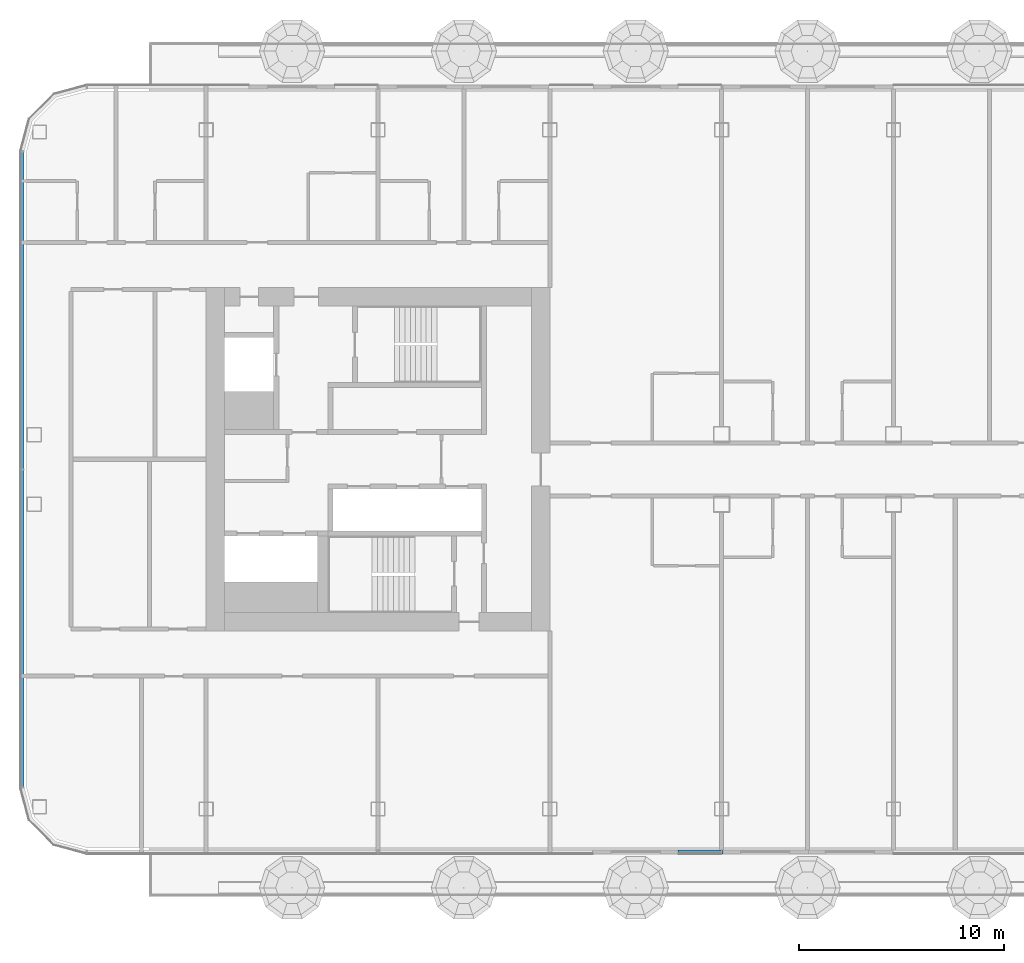
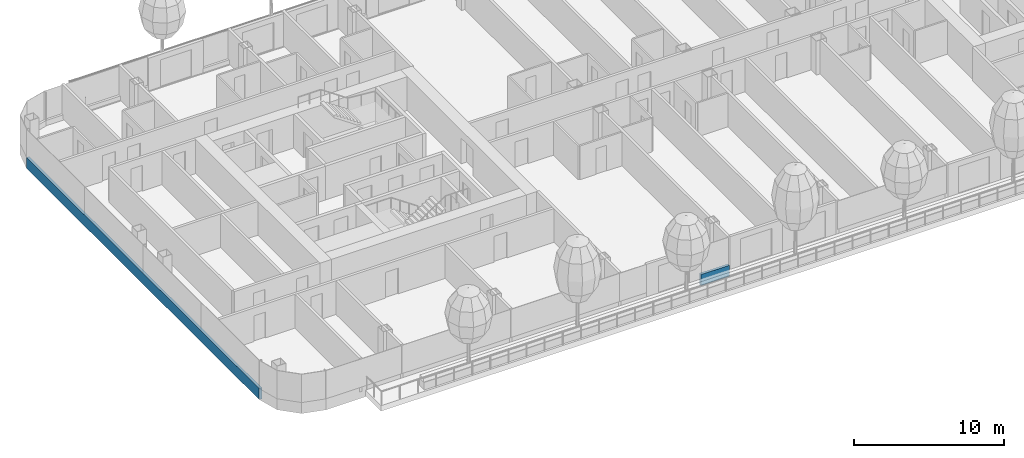
# One storey, part 3 of 30: 2 members, 2 elements without a shape of their own.
"""IFC4 building model written with IfcOpenShell, lengths in metres."""

from ifc_helpers import new_model, si_unit, direction, frame, origin, origin_2d, place, context, subcontext, project, spatial, rectangle, extrude, material, layer, layer_set, material_profile, profile_set, type_object, element, aggregate, save


model = new_model("IFC4")

# Units and contexts
model_context = context("Model", 3, precision=1e-05, world=origin(), true_north=direction((0.0, 1.0)))
body_context = subcontext(model_context, "Body", "Model", "MODEL_VIEW")
ifc_project = project(units=[si_unit("LENGTHUNIT", "METRE"), si_unit("AREAUNIT", "SQUARE_METRE"), si_unit("VOLUMEUNIT", "CUBIC_METRE"), si_unit("PLANEANGLEUNIT", "RADIAN"), si_unit("MASSUNIT", "GRAM", prefix="KILO")], contexts=[model_context])

# Site, building, storey
site_placement = place(None, origin())
site = spatial("IfcSite", under=ifc_project, at=site_placement, CompositionType="ELEMENT")
building_placement = place(site_placement, origin())
building = spatial("IfcBuilding", under=site, at=building_placement, Name="Hakoniwa Tower and Hamabe Station Hall", CompositionType="ELEMENT")
storey_placement = place(building_placement, frame((0.0, 0.0, 137.39990234375)))
storey = spatial("IfcBuildingStorey", under=building, at=storey_placement, Name="L38", CompositionType="ELEMENT", Elevation=137.39990234375)

# Curtain wall, member
ifc_material_1 = material(Name="Dark low-e laminated glass", Category="glass")
ifc_layer = layer(ifc_material_1, 0.199951171875)
ifc_layer_set = layer_set([ifc_layer], Name="CW-1 UNITISED GUEST")
curtain_wall_type = type_object("IfcCurtainWallType", Name="CW-1 UNITISED GUEST", PredefinedType="NOTDEFINED", material=ifc_layer_set)
curtain_wall_1_placement = place(storey_placement, origin())
curtain_wall_1 = element("IfcCurtainWall", 1, at=curtain_wall_1_placement, inside=storey, type_object=curtain_wall_type, Name="CW-1 curtain wall", PredefinedType="NOTDEFINED")
ifc_material_2 = material(Name="Aluminium 6063-T5 black anodised", Category="aluminium")
ifc_material_profile = material_profile(ifc_material_2, rectangle(XDim=0.199951171875, YDim=0.89990234375, at=origin_2d()), Name="CW SLAB-EDGE BAND 900X200")
ifc_profile_set = profile_set([ifc_material_profile], Name="Aluminium 6063-T5 black anodised")
member_type = type_object("IfcMemberType", Name="CW SLAB-EDGE BAND 900X200", PredefinedType="USERDEFINED", material=ifc_profile_set)
member_1_placement = place(storey_placement, frame((-42.60009765625, 15.03955078125, -0.099853515625), z_axis=(0.0, -1.0, 0.0), x_axis=(1.0, 0.0, 0.0)))
member_1 = element("IfcMember", 2, at=member_1_placement, type_object=member_type, Name="CW-1 transom", ObjectType="TRANSOM", PredefinedType="USERDEFINED", context=body_context, shape_type="SweptSolid", body=[
    extrude(rectangle(XDim=0.199951171875, YDim=0.89990234375, at=origin_2d()), origin(), (0.0, 0.0, 1.0), 31.0791015625),
])
aggregate(curtain_wall_1, [member_1])

curtain_wall_2_placement = place(storey_placement, origin())
curtain_wall_2 = element("IfcCurtainWall", 3, at=curtain_wall_2_placement, inside=storey, type_object=curtain_wall_type, Name="CW-1 curtain wall", PredefinedType="NOTDEFINED")
member_2_placement = place(storey_placement, frame((-10.530029296875, -19.199951171875, -0.099853515625), z_axis=(1.0, 0.0, 0.0), x_axis=(0.0, 1.0, 0.0)))
member_2 = element("IfcMember", 4, at=member_2_placement, type_object=member_type, Name="CW-1 transom", ObjectType="TRANSOM", PredefinedType="USERDEFINED", context=body_context, shape_type="SweptSolid", body=[
    extrude(rectangle(XDim=0.199951171875, YDim=0.89990234375, at=origin_2d()), origin(), (0.0, 0.0, 1.0), 2.18994140625),
])
aggregate(curtain_wall_2, [member_2])

save(model, "model.ifc")
